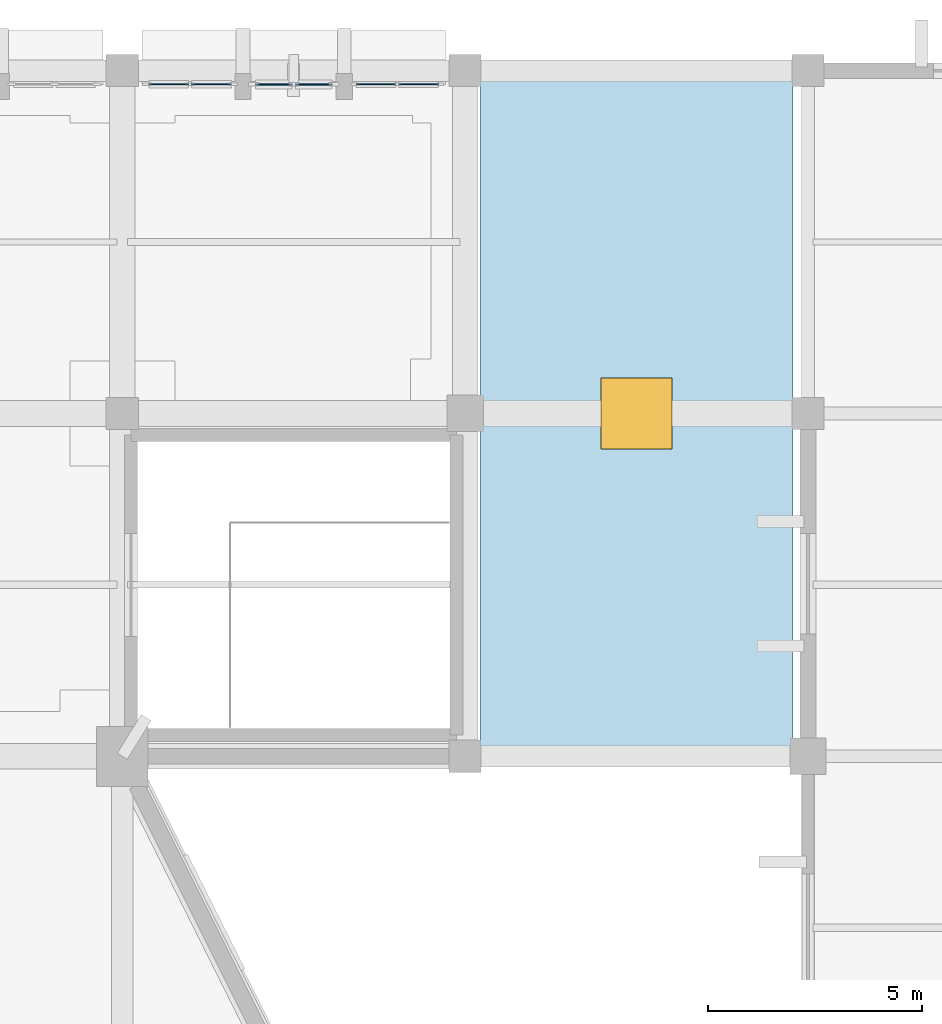
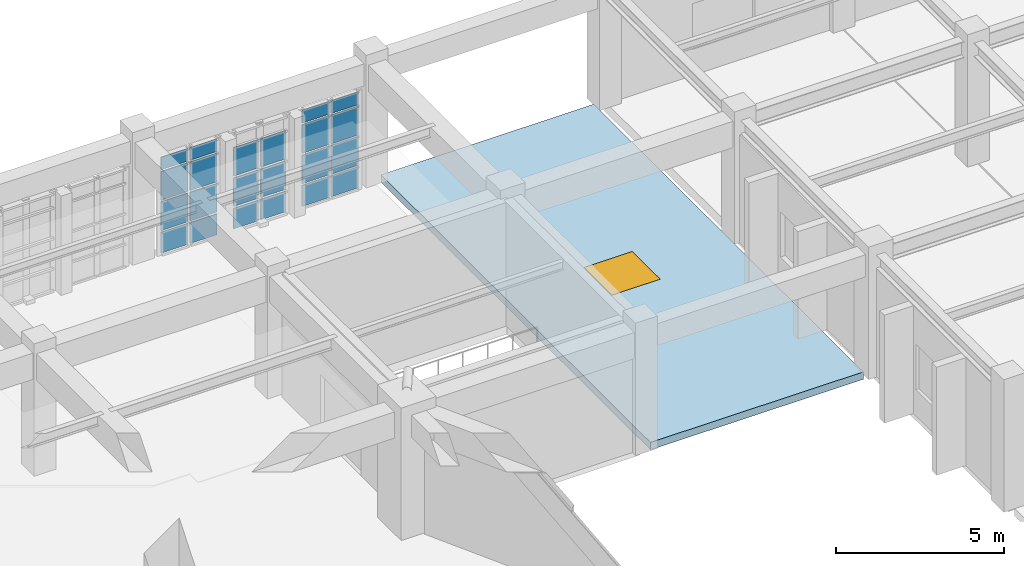
# One storey, part 108 of 155: 22 plates, 1 slab, 1 window, 1 opening, 3 elements without a shape of their own.
"""IFC4 building model written with IfcOpenShell, lengths in metres."""

from ifc_helpers import new_model, si_unit, direction, frame, origin, origin_2d, place, context, subcontext, project, spatial, polyline, rectangle, outline, extrude, material, layer, layer_set, type_object, element, fill, aggregate, save


model = new_model("IFC4")

# Units and contexts
model_context = context("Model", 3, precision=1e-05, world=origin(), true_north=direction((0.0, 1.0)))
body_context = subcontext(model_context, "Body", "Model", "MODEL_VIEW")
ifc_project = project(units=[si_unit("LENGTHUNIT", "METRE"), si_unit("AREAUNIT", "SQUARE_METRE"), si_unit("VOLUMEUNIT", "CUBIC_METRE"), si_unit("PLANEANGLEUNIT", "RADIAN"), si_unit("MASSUNIT", "GRAM", prefix="KILO")], contexts=[model_context])

# Site, building, storey
site_placement = place(None, origin())
site = spatial("IfcSite", under=ifc_project, at=site_placement, CompositionType="ELEMENT")
building_placement = place(site_placement, origin())
building = spatial("IfcBuilding", under=site, at=building_placement, Name="Tazarka Park Arena", CompositionType="ELEMENT")
storey_placement = place(building_placement, frame((0.0, 0.0, 5.39990234375)))
storey = spatial("IfcBuildingStorey", under=building, at=storey_placement, Name="L01", CompositionType="ELEMENT", Elevation=5.39990234375)

# Curtain wall, plates
ifc_material_1 = material(Name="Aluminium and low-e glass", Category="aluminium")
ifc_layer_1 = layer(ifc_material_1, 0.179931640625, Name="Aluminium and low-e glass")
ifc_layer_set_1 = layer_set([ifc_layer_1], Name="Aluminium and low-e glass")
curtain_wall_type_1 = type_object("IfcCurtainWallType", Name="CW-27", PredefinedType="NOTDEFINED", material=ifc_layer_set_1)
curtain_wall_1_placement = place(storey_placement, origin())
curtain_wall_1 = element("IfcCurtainWall", 1, at=curtain_wall_1_placement, inside=storey, type_object=curtain_wall_type_1, Name="Curtain Wall CWA-L01-027", PredefinedType="NOTDEFINED")
ifc_material_2 = material(Name="Double low-e insulated glazing", Category="glass")
ifc_layer_2 = layer(ifc_material_2, 0.028076171875, Name="Double low-e insulated glazing")
ifc_layer_set_2 = layer_set([ifc_layer_2], Name="Double low-e insulated glazing")
plate_type_1 = type_object("IfcPlateType", Name="CWP-01", PredefinedType="CURTAIN_PANEL", material=ifc_layer_set_2)
plate_1_placement = place(storey_placement, frame((117.92138671875, 127.679931640625, 0.065185546875), z_axis=(0.0, 0.0, 1.0), x_axis=(1.0, 0.0, 0.0)))
plate_1 = element("IfcPlate", 2, at=plate_1_placement, type_object=plate_type_1, Name="CW-27 panel 1.1", PredefinedType="CURTAIN_PANEL", context=body_context, shape_type="SweptSolid", body=[
    extrude(rectangle(XDim=0.92919921875, YDim=0.028076171875, at=origin_2d()), origin(), (0.0, 0.0, 1.0), 0.75244140625),
])
plate_2_placement = place(storey_placement, frame((117.92138671875, 127.679931640625, 0.8828125), z_axis=(0.0, 0.0, 1.0), x_axis=(1.0, 0.0, 0.0)))
plate_2 = element("IfcPlate", 3, at=plate_2_placement, type_object=plate_type_1, Name="CW-27 panel 1.2", PredefinedType="CURTAIN_PANEL", context=body_context, shape_type="SweptSolid", body=[
    extrude(rectangle(XDim=0.92919921875, YDim=0.028076171875, at=origin_2d()), origin(), (0.0, 0.0, 1.0), 1.034912109375),
])
plate_3_placement = place(storey_placement, frame((117.92138671875, 127.679931640625, 1.982421875), z_axis=(0.0, 0.0, 1.0), x_axis=(1.0, 0.0, 0.0)))
plate_3 = element("IfcPlate", 4, at=plate_3_placement, type_object=plate_type_1, Name="CW-27 panel 1.3", PredefinedType="CURTAIN_PANEL", context=body_context, shape_type="SweptSolid", body=[
    extrude(rectangle(XDim=0.92919921875, YDim=0.028076171875, at=origin_2d()), origin(), (0.0, 0.0, 1.0), 1.034912109375),
])
plate_4_placement = place(storey_placement, frame((117.92138671875, 127.679931640625, 3.08251953125), z_axis=(0.0, 0.0, 1.0), x_axis=(1.0, 0.0, 0.0)))
plate_4 = element("IfcPlate", 5, at=plate_4_placement, type_object=plate_type_1, Name="CW-27 panel 1.4", PredefinedType="CURTAIN_PANEL", context=body_context, shape_type="SweptSolid", body=[
    extrude(rectangle(XDim=0.92919921875, YDim=0.028076171875, at=origin_2d()), origin(), (0.0, 0.0, 1.0), 0.452392578125),
])
plate_5_placement = place(storey_placement, frame((118.91552734375, 127.679931640625, 0.065185546875), z_axis=(0.0, 0.0, 1.0), x_axis=(1.0, 0.0, 0.0)))
plate_5 = element("IfcPlate", 6, at=plate_5_placement, type_object=plate_type_1, Name="CW-27 panel 2.1", PredefinedType="CURTAIN_PANEL", context=body_context, shape_type="SweptSolid", body=[
    extrude(rectangle(XDim=0.92919921875, YDim=0.028076171875, at=origin_2d()), origin(), (0.0, 0.0, 1.0), 0.75244140625),
])
plate_6_placement = place(storey_placement, frame((118.91552734375, 127.679931640625, 0.8828125), z_axis=(0.0, 0.0, 1.0), x_axis=(1.0, 0.0, 0.0)))
plate_6 = element("IfcPlate", 7, at=plate_6_placement, type_object=plate_type_1, Name="CW-27 panel 2.2", PredefinedType="CURTAIN_PANEL", context=body_context, shape_type="SweptSolid", body=[
    extrude(rectangle(XDim=0.92919921875, YDim=0.028076171875, at=origin_2d()), origin(), (0.0, 0.0, 1.0), 1.034912109375),
])
plate_7_placement = place(storey_placement, frame((118.91552734375, 127.679931640625, 1.982421875), z_axis=(0.0, 0.0, 1.0), x_axis=(1.0, 0.0, 0.0)))
plate_7 = element("IfcPlate", 8, at=plate_7_placement, type_object=plate_type_1, Name="CW-27 panel 2.3", PredefinedType="CURTAIN_PANEL", context=body_context, shape_type="SweptSolid", body=[
    extrude(rectangle(XDim=0.92919921875, YDim=0.028076171875, at=origin_2d()), origin(), (0.0, 0.0, 1.0), 1.034912109375),
])
plate_8_placement = place(storey_placement, frame((118.91552734375, 127.679931640625, 3.08251953125), z_axis=(0.0, 0.0, 1.0), x_axis=(1.0, 0.0, 0.0)))
plate_8 = element("IfcPlate", 9, at=plate_8_placement, type_object=plate_type_1, Name="CW-27 panel 2.4", PredefinedType="CURTAIN_PANEL", context=body_context, shape_type="SweptSolid", body=[
    extrude(rectangle(XDim=0.92919921875, YDim=0.028076171875, at=origin_2d()), origin(), (0.0, 0.0, 1.0), 0.452392578125),
])
aggregate(curtain_wall_1, [plate_1, plate_2, plate_3, plate_4, plate_5, plate_6, plate_7, plate_8])

ifc_material_3 = material(Name="Aluminium and low-e glass", Category="aluminium")
ifc_layer_3 = layer(ifc_material_3, 0.179931640625, Name="Aluminium and low-e glass")
ifc_layer_set_3 = layer_set([ifc_layer_3], Name="Aluminium and low-e glass")
curtain_wall_type_2 = type_object("IfcCurtainWallType", Name="CW-25", PredefinedType="NOTDEFINED", material=ifc_layer_set_3)
curtain_wall_2_placement = place(storey_placement, origin())
curtain_wall_2 = element("IfcCurtainWall", 10, at=curtain_wall_2_placement, inside=storey, type_object=curtain_wall_type_2, Name="Curtain Wall CWA-L01-025", PredefinedType="NOTDEFINED")
ifc_material_4 = material(Name="Triple acoustic solar glazing", Category="glass")
ifc_layer_4 = layer(ifc_material_4, 0.031982421875, Name="Triple acoustic solar glazing")
ifc_layer_set_4 = layer_set([ifc_layer_4], Name="Triple acoustic solar glazing")
plate_type_2 = type_object("IfcPlateType", Name="CWP-02", PredefinedType="CURTAIN_PANEL", material=ifc_layer_set_4)
plate_9_placement = place(storey_placement, frame((113.08447265625, 127.679931640625, 0.065185546875), z_axis=(0.0, 0.0, 1.0), x_axis=(1.0, 0.0, 0.0)))
plate_9 = element("IfcPlate", 11, at=plate_9_placement, type_object=plate_type_2, Name="CW-25 panel 1.1", PredefinedType="CURTAIN_PANEL", context=body_context, shape_type="SweptSolid", body=[
    extrude(rectangle(XDim=0.92919921875, YDim=0.031982421875, at=origin_2d()), origin(), (0.0, 0.0, 1.0), 0.75244140625),
])
plate_10_placement = place(storey_placement, frame((113.08447265625, 127.679931640625, 0.8828125), z_axis=(0.0, 0.0, 1.0), x_axis=(1.0, 0.0, 0.0)))
plate_10 = element("IfcPlate", 12, at=plate_10_placement, type_object=plate_type_2, Name="CW-25 panel 1.2", PredefinedType="CURTAIN_PANEL", context=body_context, shape_type="SweptSolid", body=[
    extrude(rectangle(XDim=0.92919921875, YDim=0.031982421875, at=origin_2d()), origin(), (0.0, 0.0, 1.0), 1.034912109375),
])
plate_11_placement = place(storey_placement, frame((113.08447265625, 127.679931640625, 1.982421875), z_axis=(0.0, 0.0, 1.0), x_axis=(1.0, 0.0, 0.0)))
plate_11 = element("IfcPlate", 13, at=plate_11_placement, type_object=plate_type_2, Name="CW-25 panel 1.3", PredefinedType="CURTAIN_PANEL", context=body_context, shape_type="SweptSolid", body=[
    extrude(rectangle(XDim=0.92919921875, YDim=0.031982421875, at=origin_2d()), origin(), (0.0, 0.0, 1.0), 1.034912109375),
])
plate_12_placement = place(storey_placement, frame((113.08447265625, 127.679931640625, 3.08251953125), z_axis=(0.0, 0.0, 1.0), x_axis=(1.0, 0.0, 0.0)))
plate_12 = element("IfcPlate", 14, at=plate_12_placement, type_object=plate_type_2, Name="CW-25 panel 1.4", PredefinedType="CURTAIN_PANEL", context=body_context, shape_type="SweptSolid", body=[
    extrude(rectangle(XDim=0.92919921875, YDim=0.031982421875, at=origin_2d()), origin(), (0.0, 0.0, 1.0), 0.452392578125),
])
plate_13_placement = place(storey_placement, frame((114.07861328125, 127.679931640625, 0.065185546875), z_axis=(0.0, 0.0, 1.0), x_axis=(1.0, 0.0, 0.0)))
plate_13 = element("IfcPlate", 15, at=plate_13_placement, type_object=plate_type_2, Name="CW-25 panel 2.1", PredefinedType="CURTAIN_PANEL", context=body_context, shape_type="SweptSolid", body=[
    extrude(rectangle(XDim=0.92919921875, YDim=0.031982421875, at=origin_2d()), origin(), (0.0, 0.0, 1.0), 0.75244140625),
])
plate_14_placement = place(storey_placement, frame((114.07861328125, 127.679931640625, 0.8828125), z_axis=(0.0, 0.0, 1.0), x_axis=(1.0, 0.0, 0.0)))
plate_14 = element("IfcPlate", 16, at=plate_14_placement, type_object=plate_type_2, Name="CW-25 panel 2.2", PredefinedType="CURTAIN_PANEL", context=body_context, shape_type="SweptSolid", body=[
    extrude(rectangle(XDim=0.92919921875, YDim=0.031982421875, at=origin_2d()), origin(), (0.0, 0.0, 1.0), 1.034912109375),
])
plate_15_placement = place(storey_placement, frame((114.07861328125, 127.679931640625, 1.982421875), z_axis=(0.0, 0.0, 1.0), x_axis=(1.0, 0.0, 0.0)))
plate_15 = element("IfcPlate", 17, at=plate_15_placement, type_object=plate_type_2, Name="CW-25 panel 2.3", PredefinedType="CURTAIN_PANEL", context=body_context, shape_type="SweptSolid", body=[
    extrude(rectangle(XDim=0.92919921875, YDim=0.031982421875, at=origin_2d()), origin(), (0.0, 0.0, 1.0), 1.034912109375),
])
plate_16_placement = place(storey_placement, frame((114.07861328125, 127.679931640625, 3.08251953125), z_axis=(0.0, 0.0, 1.0), x_axis=(1.0, 0.0, 0.0)))
plate_16 = element("IfcPlate", 18, at=plate_16_placement, type_object=plate_type_2, Name="CW-25 panel 2.4", PredefinedType="CURTAIN_PANEL", context=body_context, shape_type="SweptSolid", body=[
    extrude(rectangle(XDim=0.92919921875, YDim=0.031982421875, at=origin_2d()), origin(), (0.0, 0.0, 1.0), 0.452392578125),
])
aggregate(curtain_wall_2, [plate_9, plate_10, plate_11, plate_12, plate_13, plate_14, plate_15, plate_16])

ifc_material_5 = material(Name="Aluminium and low-e glass", Category="aluminium")
ifc_layer_5 = layer(ifc_material_5, 0.179931640625, Name="Aluminium and low-e glass")
ifc_layer_set_5 = layer_set([ifc_layer_5], Name="Aluminium and low-e glass")
curtain_wall_type_3 = type_object("IfcCurtainWallType", Name="CW-26", PredefinedType="NOTDEFINED", material=ifc_layer_set_5)
curtain_wall_3_placement = place(storey_placement, origin())
curtain_wall_3 = element("IfcCurtainWall", 19, at=curtain_wall_3_placement, inside=storey, type_object=curtain_wall_type_3, Name="Curtain Wall CWA-L01-026", PredefinedType="NOTDEFINED")
ifc_material_6 = material(Name="Insulated aluminium spandrel panel", Category="aluminium")
ifc_layer_6 = layer(ifc_material_6, 0.035888671875, Name="Insulated aluminium spandrel panel")
ifc_layer_set_6 = layer_set([ifc_layer_6], Name="Insulated aluminium spandrel panel")
plate_type_3 = type_object("IfcPlateType", Name="CWP-03", PredefinedType="CURTAIN_PANEL", material=ifc_layer_set_6)
plate_17_placement = place(storey_placement, frame((115.532958984375, 127.679931640625, 0.0751953125), z_axis=(0.0, 0.0, 1.0), x_axis=(1.0, 0.0, 0.0)))
plate_17 = element("IfcPlate", 20, at=plate_17_placement, type_object=plate_type_3, Name="CW-26 panel 1.1", PredefinedType="CURTAIN_PANEL", context=body_context, shape_type="SweptSolid", body=[
    extrude(rectangle(XDim=0.859130859375, YDim=0.035888671875, at=origin_2d()), origin(), (0.0, 0.0, 1.0), 0.737548828125),
])
plate_18_placement = place(storey_placement, frame((115.532958984375, 127.679931640625, 0.8876953125), z_axis=(0.0, 0.0, 1.0), x_axis=(1.0, 0.0, 0.0)))
plate_18 = element("IfcPlate", 21, at=plate_18_placement, type_object=plate_type_3, Name="CW-26 panel 1.2", PredefinedType="CURTAIN_PANEL", context=body_context, shape_type="SweptSolid", body=[
    extrude(rectangle(XDim=0.859130859375, YDim=0.035888671875, at=origin_2d()), origin(), (0.0, 0.0, 1.0), 1.02490234375),
])
plate_19_placement = place(storey_placement, frame((115.532958984375, 127.679931640625, 1.987548828125), z_axis=(0.0, 0.0, 1.0), x_axis=(1.0, 0.0, 0.0)))
plate_19 = element("IfcPlate", 22, at=plate_19_placement, type_object=plate_type_3, Name="CW-26 panel 1.3", PredefinedType="CURTAIN_PANEL", context=body_context, shape_type="SweptSolid", body=[
    extrude(rectangle(XDim=0.859130859375, YDim=0.035888671875, at=origin_2d()), origin(), (0.0, 0.0, 1.0), 1.02490234375),
])
plate_20_placement = place(storey_placement, frame((116.467041015625, 127.679931640625, 0.0751953125), z_axis=(0.0, 0.0, 1.0), x_axis=(1.0, 0.0, 0.0)))
plate_20 = element("IfcPlate", 23, at=plate_20_placement, type_object=plate_type_3, Name="CW-26 panel 2.1", PredefinedType="CURTAIN_PANEL", context=body_context, shape_type="SweptSolid", body=[
    extrude(rectangle(XDim=0.859130859375, YDim=0.035888671875, at=origin_2d()), origin(), (0.0, 0.0, 1.0), 0.737548828125),
])
plate_21_placement = place(storey_placement, frame((116.467041015625, 127.679931640625, 0.8876953125), z_axis=(0.0, 0.0, 1.0), x_axis=(1.0, 0.0, 0.0)))
plate_21 = element("IfcPlate", 24, at=plate_21_placement, type_object=plate_type_3, Name="CW-26 panel 2.2", PredefinedType="CURTAIN_PANEL", context=body_context, shape_type="SweptSolid", body=[
    extrude(rectangle(XDim=0.859130859375, YDim=0.035888671875, at=origin_2d()), origin(), (0.0, 0.0, 1.0), 1.02490234375),
])
plate_22_placement = place(storey_placement, frame((116.467041015625, 127.679931640625, 1.987548828125), z_axis=(0.0, 0.0, 1.0), x_axis=(1.0, 0.0, 0.0)))
plate_22 = element("IfcPlate", 25, at=plate_22_placement, type_object=plate_type_3, Name="CW-26 panel 2.3", PredefinedType="CURTAIN_PANEL", context=body_context, shape_type="SweptSolid", body=[
    extrude(rectangle(XDim=0.859130859375, YDim=0.035888671875, at=origin_2d()), origin(), (0.0, 0.0, 1.0), 1.02490234375),
])
aggregate(curtain_wall_3, [plate_17, plate_18, plate_19, plate_20, plate_21, plate_22])

# Slab, opening, window
ifc_material_7 = material(Name="Concrete C35/45", Category="concrete")
ifc_layer_7 = layer(ifc_material_7, 0.27001953125, Name="Concrete C35/45")
ifc_layer_set_7 = layer_set([ifc_layer_7], Name="Concrete C35/45")
slab_type = type_object("IfcSlabType", Name="SLB-RS-04", PredefinedType="ROOF", material=ifc_layer_set_7)
slab_placement = place(storey_placement, frame((0.0, 0.0, -0.27001953125)))
slab = element("IfcSlab", 26, at=slab_placement, inside=storey, type_object=slab_type, Name="WROOF-L01-05", PredefinedType="ROOF", context=body_context, shape_type="SweptSolid", body=[
    extrude(outline(polyline([(127.64990234375, 128.0), (127.64990234375, 112.0), (120.35009765625, 112.0), (120.35009765625, 128.0), (127.64990234375, 128.0)])), origin(), (0.0, 0.0, 1.0), 0.27001953125),
])
opening_placement = place(slab_placement, frame((124.0, 120.0, 0.0)))
opening = element("IfcOpeningElement", 27, at=opening_placement, cuts=slab, Name="Opening SK-03", PredefinedType="OPENING", context=body_context, shape_type="SweptSolid", body=[
    extrude(rectangle(XDim=1.64990234375, YDim=1.64990234375, at=origin_2d()), origin(), (0.0, 0.0, 1.0), 0.27001953125),
])
ifc_material_8 = material(Name="Thermally broken aluminium and solar-control low-e glazing", Category="aluminium")
window_type = type_object("IfcWindowType", Name="WIN-SK-03", PartitioningType="DOUBLE_PANEL_VERTICAL", PredefinedType="SKYLIGHT", material=ifc_material_8)
window_placement = place(opening_placement, frame((0.0, 0.0, 0.219970703125)))
window = element("IfcWindow", 28, at=window_placement, inside=storey, type_object=window_type, Name="Smoke Vent Skylight 03", OverallHeight=1.64990234375, OverallWidth=1.64990234375, PartitioningType="SINGLE_PANEL", PredefinedType="SKYLIGHT", context=body_context, shape_type="SweptSolid", body=[
    extrude(rectangle(XDim=1.64990234375, YDim=1.64990234375, at=origin_2d()), origin(), (0.0, 0.0, 1.0), 0.050048828125),
])
fill(opening, window)

save(model, "model.ifc")
